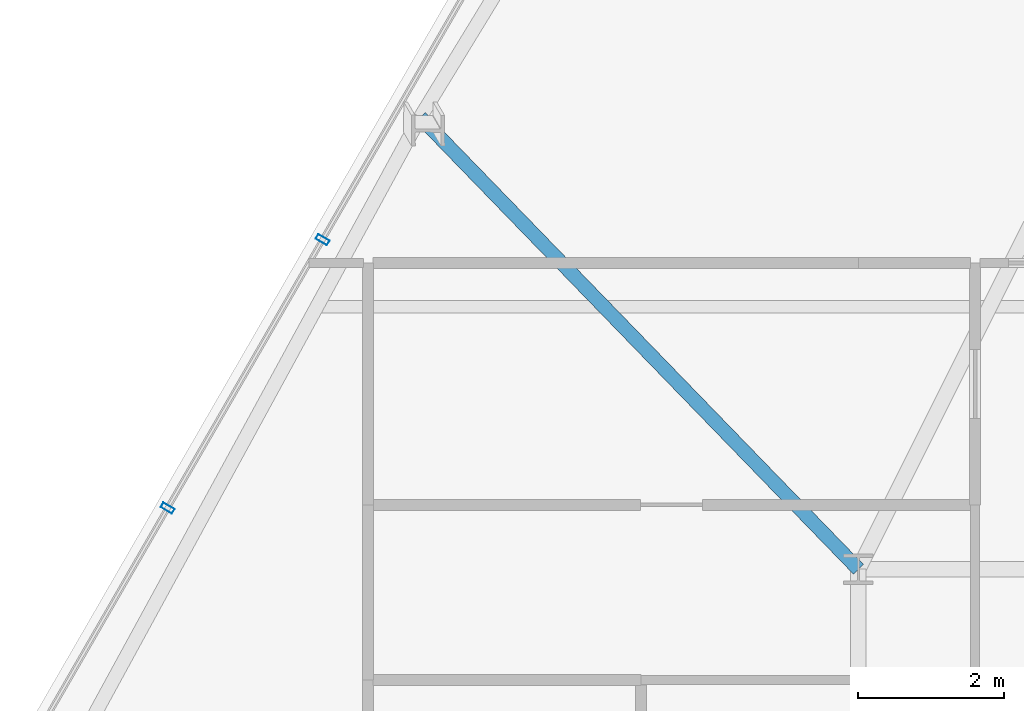
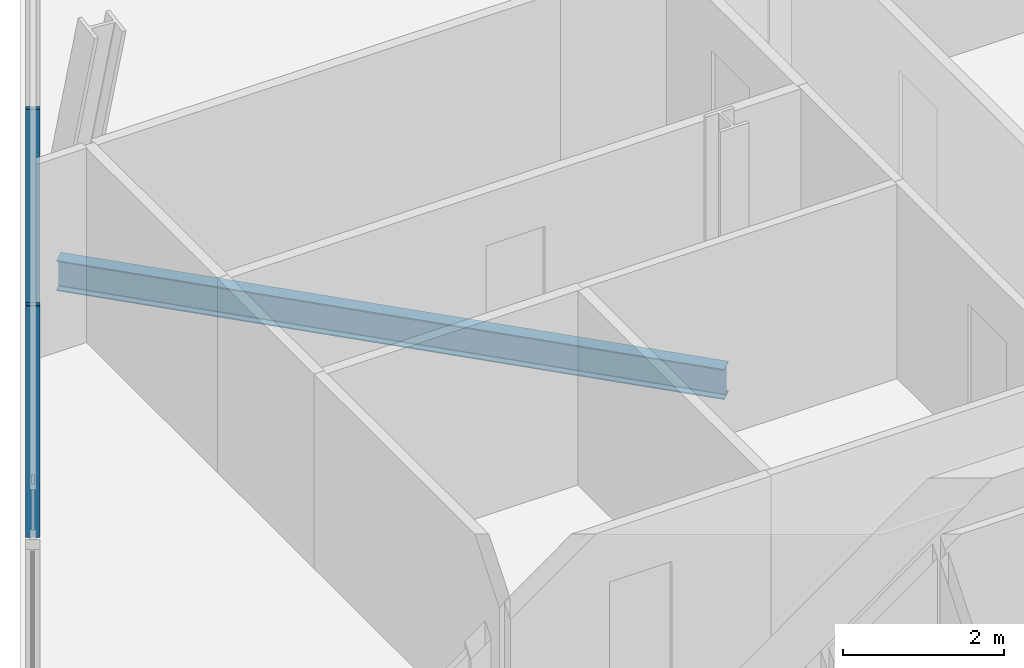
# One storey, part 10 of 34: 2 members, 1 beam, 1 element without a shape of its own.
"""IFC4 building model written with IfcOpenShell, lengths in metres."""

from ifc_helpers import new_model, si_unit, direction, frame, origin, origin_2d, place, context, subcontext, project, spatial, hollow_rectangle, i_section, extrude, material, layer, layer_set, material_profile, profile_set, type_object, element, aggregate, save


model = new_model("IFC4")

# Units and contexts
model_context = context("Model", 3, precision=1e-05, world=origin(), true_north=direction((0.0, 1.0)))
body_context = subcontext(model_context, "Body", "Model", "MODEL_VIEW")
ifc_project = project(units=[si_unit("LENGTHUNIT", "METRE"), si_unit("AREAUNIT", "SQUARE_METRE"), si_unit("VOLUMEUNIT", "CUBIC_METRE"), si_unit("PLANEANGLEUNIT", "RADIAN"), si_unit("MASSUNIT", "GRAM", prefix="KILO")], contexts=[model_context])

# Site, building, storey
site_placement = place(None, origin())
site = spatial("IfcSite", under=ifc_project, at=site_placement, CompositionType="ELEMENT")
building_placement = place(site_placement, origin())
building = spatial("IfcBuilding", under=site, at=building_placement, Name="Ndaravel Arena Tower", CompositionType="ELEMENT")
storey_placement = place(building_placement, frame((0.0, 0.0, 199.199951171875)))
storey = spatial("IfcBuildingStorey", under=building, at=storey_placement, Name="L48", CompositionType="ELEMENT", Elevation=199.199951171875)

# Beam
ifc_material_1 = material(Name="Steel S355", Category="steel")
ifc_material_profile_1 = material_profile(ifc_material_1, i_section(OverallWidth=0.19140625, OverallDepth=0.4599609375, WebThickness=0.010009765625, FlangeThickness=0.01611328125, FilletRadius=0.01025390625, at=origin_2d()), Name="UB 457x191x82")
ifc_profile_set_1 = profile_set([ifc_material_profile_1], Name="Steel S355")
beam_type = type_object("IfcBeamType", Name="BM-GIRD-UB457", PredefinedType="BEAM", material=ifc_profile_set_1)
beam_placement = place(storey_placement, frame((28.189697265625, 29.400146484375, -0.449951171875), z_axis=(0.696023073464, -0.718019415619, 0.0), x_axis=(0.718019415619, 0.696023073464, 0.0)))
element("IfcBeam", 1, at=beam_placement, inside=storey, type_object=beam_type, Name="L48 Radial Floor Girder FG-19", PredefinedType="BEAM", context=body_context, shape_type="SweptSolid", body=[
    extrude(i_section(OverallWidth=0.19140625, OverallDepth=0.4599609375, WebThickness=0.010009765625, FlangeThickness=0.01611328125, FilletRadius=0.01025390625, at=origin_2d()), origin(), (0.0, 0.0, 1.0), 8.63525390625),
])

# Curtain wall, members
ifc_material_2 = material(Name="Aluminium", Category="aluminium")
ifc_layer = layer(ifc_material_2, 0.179931640625)
ifc_layer_set = layer_set([ifc_layer], Name="Aluminium")
curtain_wall_type = type_object("IfcCurtainWallType", Name="CW-SYS-03", PredefinedType="NOTDEFINED", material=ifc_layer_set)
curtain_wall_placement = place(storey_placement, origin())
curtain_wall = element("IfcCurtainWall", 2, at=curtain_wall_placement, inside=storey, type_object=curtain_wall_type, Name="L48 Faceted Crystal Curtain Wall CW-L48-E05", PredefinedType="NOTDEFINED")
ifc_material_3 = material(Name="Aluminium", Category="aluminium")
ifc_material_profile_2 = material_profile(ifc_material_3, hollow_rectangle(XDim=0.074951171875, YDim=0.179931640625, WallThickness=0.00390625, at=origin_2d()), Name="CW MULLION 75x180x4")
ifc_profile_set_2 = profile_set([ifc_material_profile_2], Name="Aluminium")
member_type = type_object("IfcMemberType", Name="MEM-CW-MUL180", PredefinedType="MULLION", material=ifc_profile_set_2)
member_1_placement = place(storey_placement, frame((26.849853515625, 27.719482421875, 0.0), z_axis=(0.0, 0.0, 1.0), x_axis=(-0.5, -0.866025403784, 0.0)))
member_1 = element("IfcMember", 3, at=member_1_placement, type_object=member_type, Name="CW-L48-E05 Mullion 05", PredefinedType="MULLION", context=body_context, shape_type="SweptSolid", body=[
    extrude(hollow_rectangle(XDim=0.074951171875, YDim=0.179931640625, WallThickness=0.00390625, at=origin_2d()), origin(), (0.0, 0.0, 1.0), 3.52001953125),
])
member_2_placement = place(storey_placement, frame((24.724609375, 24.0380859375, 0.0), z_axis=(0.0, 0.0, 1.0), x_axis=(-0.5, -0.866025403784, 0.0)))
member_2 = element("IfcMember", 4, at=member_2_placement, type_object=member_type, Name="CW-L48-E05 Mullion 06", PredefinedType="MULLION", context=body_context, shape_type="SweptSolid", body=[
    extrude(hollow_rectangle(XDim=0.074951171875, YDim=0.179931640625, WallThickness=0.00390625, at=origin_2d()), origin(), (0.0, 0.0, 1.0), 3.52001953125),
])
aggregate(curtain_wall, [member_1, member_2])

save(model, "model.ifc")
